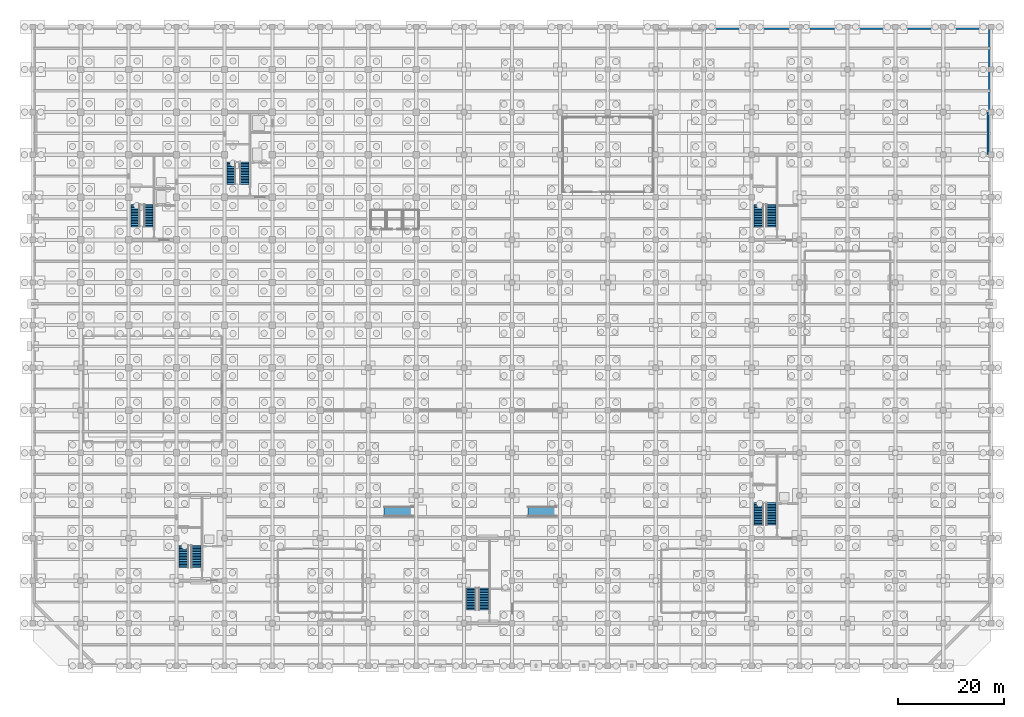
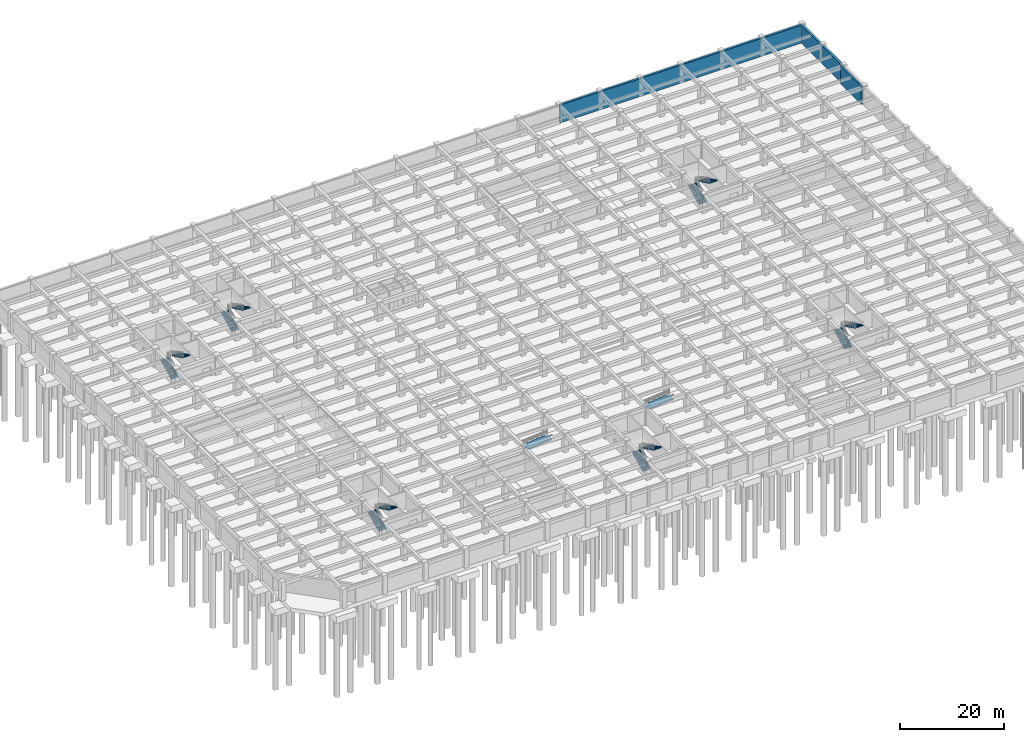
# One storey, part 26 of 31: 12 stair flights, 3 walls, 2 ramp flights, 8 elements without a shape of their own.
"""IFC4 building model written with IfcOpenShell, lengths in metres."""

from ifc_helpers import new_model, si_unit, direction, frame, frame_2d, origin, place, context, subcontext, project, spatial, polyline, rectangle, outline, extrude, material, layer, layer_set, type_object, element, aggregate, save


model = new_model("IFC4")

# Units and contexts
model_context = context("Model", 3, precision=1e-05, world=origin(), true_north=direction((0.0, 1.0)))
body_context = subcontext(model_context, "Body", "Model", "MODEL_VIEW")
ifc_project = project(units=[si_unit("LENGTHUNIT", "METRE"), si_unit("AREAUNIT", "SQUARE_METRE"), si_unit("VOLUMEUNIT", "CUBIC_METRE"), si_unit("PLANEANGLEUNIT", "RADIAN"), si_unit("MASSUNIT", "GRAM", prefix="KILO")], contexts=[model_context])

# Site, building, storey
site_placement = place(None, origin())
site = spatial("IfcSite", under=ifc_project, at=site_placement, CompositionType="ELEMENT")
building_placement = place(site_placement, origin())
building = spatial("IfcBuilding", under=site, at=building_placement, Name="Zaverband Oceanarium and Marine Research Institute", CompositionType="ELEMENT")
storey_placement = place(building_placement, frame((0.0, 0.0, -9.0)))
storey = spatial("IfcBuildingStorey", under=building, at=storey_placement, Name="B2", CompositionType="ELEMENT", Elevation=-9.0)

# Walls
ifc_material_1 = material(Name="Concrete C45/55", Category="concrete")
ifc_layer_1 = layer(ifc_material_1, 0.47998046875, Name="Concrete C45/55")
ifc_layer_set_1 = layer_set([ifc_layer_1], Name="Concrete C45/55")
wall_type_1 = type_object("IfcWallType", Name="RW-01", PredefinedType="SHEAR", material=ifc_layer_set_1)
wall_1_placement = place(storey_placement, frame((179.75, 104.0, 0.0), z_axis=(0.0, 0.0, 1.0), x_axis=(0.0, 1.0, 0.0)))
element("IfcWall", 1, at=wall_1_placement, inside=storey, type_object=wall_type_1, Name="Basement retaining wall RW-01", PredefinedType="SHEAR", context=body_context, shape_type="SweptSolid", body=[
    extrude(rectangle(XDim=15.75, YDim=0.47998046875, at=frame_2d((7.875, 0.0))), origin(), (0.0, 0.0, 1.0), 4.199951171875),
])
wall_2_placement = place(storey_placement, frame((179.75, 119.75, 0.0), z_axis=(0.0, 0.0, 1.0), x_axis=(-1.0, 0.0, 0.0)))
element("IfcWall", 2, at=wall_2_placement, inside=storey, type_object=wall_type_1, Name="Basement retaining wall RW-01", PredefinedType="SHEAR", context=body_context, shape_type="SweptSolid", body=[
    extrude(rectangle(XDim=53.75, YDim=0.47998046875, at=frame_2d((26.875, 0.0))), origin(), (0.0, 0.0, 1.0), 4.199951171875),
])
ifc_material_2 = material(Name="Concrete C50/60", Category="concrete")
ifc_layer_2 = layer(ifc_material_2, 0.3798828125, Name="Concrete C50/60")
ifc_layer_set_2 = layer_set([ifc_layer_2], Name="Concrete C50/60")
wall_type_2 = type_object("IfcWallType", Name="SW-02", PredefinedType="SHEAR", material=ifc_layer_set_2)
wall_3_placement = place(storey_placement, frame((179.39990234375, 96.0, 0.0), z_axis=(0.0, 0.0, 1.0), x_axis=(0.0, 1.0, 0.0)))
element("IfcWall", 3, at=wall_3_placement, inside=storey, type_object=wall_type_2, Name="Structural shear wall SW-02", PredefinedType="SHEAR", context=body_context, shape_type="SweptSolid", body=[
    extrude(rectangle(XDim=8.0, YDim=0.3798828125, at=frame_2d((4.0, 0.0))), origin(), (0.0, 0.0, 1.0), 4.199951171875),
])

# Stair, stair flights
ifc_material_3 = material(Name="Concrete C40/50", Category="concrete")
stair_type_1 = type_object("IfcStairType", Name="STR-POD-1800-4500", PredefinedType="HALF_TURN_STAIR", material=ifc_material_3)
stair_1_placement = place(storey_placement, origin())
stair_1 = element("IfcStair", 4, at=stair_1_placement, inside=storey, type_object=stair_type_1, Name="Exit Stair ST-03 (B2)", PredefinedType="HALF_TURN_STAIR")
stair_flight_type_1 = type_object("IfcStairFlightType", Name="STR-POD-1800-4500-FL", PredefinedType="STRAIGHT", material=ifc_material_3)
stair_flight_1_placement = place(storey_placement, frame((28.330078125, 18.449951171875, 0.0), z_axis=(0.0, 0.0, 1.0), x_axis=(0.0, 1.0, 0.0)))
stair_flight_1 = element("IfcStairFlight", 5, at=stair_flight_1_placement, type_object=stair_flight_type_1, Name="Reinforced concrete stair flight ST-03-F1", NumberOfRisers=15, NumberOfTreads=14, PredefinedType="STRAIGHT", RiserHeight=0.15, TreadLength=0.3, context=body_context, shape_type="SweptSolid", body=[
    extrude(outline(polyline([(0.0, 0.0), (0.0, 0.14990234375), (0.300048828125, 0.14990234375), (0.300048828125, 0.300048828125), (0.60009765625, 0.300048828125), (0.60009765625, 0.449951171875), (0.89990234375, 0.449951171875), (0.89990234375, 0.60009765625), (1.199951171875, 0.60009765625), (1.199951171875, 0.75), (1.5, 0.75), (1.5, 0.89990234375), (1.800048828125, 0.89990234375), (1.800048828125, 1.050048828125), (2.10009765625, 1.050048828125), (2.10009765625, 1.199951171875), (2.39990234375, 1.199951171875), (2.39990234375, 1.35009765625), (2.699951171875, 1.35009765625), (2.699951171875, 1.5), (3.0, 1.5), (3.0, 1.64990234375), (3.300048828125, 1.64990234375), (3.300048828125, 1.800048828125), (3.60009765625, 1.800048828125), (3.60009765625, 1.949951171875), (3.89990234375, 1.949951171875), (3.89990234375, 2.10009765625), (4.199951171875, 2.10009765625), (4.199951171875, 2.25), (4.199951171875, 1.89892578125), (0.40234375, 0.0), (0.0, 0.0)])), frame((0.0, 0.89990234375, 0.0), z_axis=(0.0, -1.0, 0.0), x_axis=(1.0, 0.0, 0.0)), (0.0, 0.0, 1.0), 1.800048828125),
])
stair_flight_2_placement = place(storey_placement, frame((30.669921875, 22.64990234375, 2.25), z_axis=(0.0, 0.0, 1.0), x_axis=(0.0, -1.0, 0.0)))
stair_flight_2 = element("IfcStairFlight", 6, at=stair_flight_2_placement, type_object=stair_flight_type_1, Name="Reinforced concrete stair flight ST-03-F2", NumberOfRisers=15, NumberOfTreads=14, PredefinedType="STRAIGHT", RiserHeight=0.15, TreadLength=0.3, context=body_context, shape_type="SweptSolid", body=[
    extrude(outline(polyline([(0.0, 0.0), (0.0, 0.14990234375), (0.300048828125, 0.14990234375), (0.300048828125, 0.300048828125), (0.60009765625, 0.300048828125), (0.60009765625, 0.449951171875), (0.89990234375, 0.449951171875), (0.89990234375, 0.60009765625), (1.199951171875, 0.60009765625), (1.199951171875, 0.75), (1.5, 0.75), (1.5, 0.89990234375), (1.800048828125, 0.89990234375), (1.800048828125, 1.050048828125), (2.10009765625, 1.050048828125), (2.10009765625, 1.199951171875), (2.39990234375, 1.199951171875), (2.39990234375, 1.35009765625), (2.699951171875, 1.35009765625), (2.699951171875, 1.5), (3.0, 1.5), (3.0, 1.64990234375), (3.300048828125, 1.64990234375), (3.300048828125, 1.800048828125), (3.60009765625, 1.800048828125), (3.60009765625, 1.949951171875), (3.89990234375, 1.949951171875), (3.89990234375, 2.10009765625), (4.199951171875, 2.10009765625), (4.199951171875, 2.25), (4.199951171875, 1.89892578125), (0.40234375, 0.0), (0.0, 0.0)])), frame((0.0, 0.89990234375, 0.0), z_axis=(0.0, -1.0, 0.0), x_axis=(1.0, 0.0, 0.0)), (0.0, 0.0, 1.0), 1.800048828125),
])
aggregate(stair_1, [stair_flight_1, stair_flight_2])

stair_2_placement = place(storey_placement, origin())
stair_2 = element("IfcStair", 7, at=stair_2_placement, inside=storey, type_object=stair_type_1, Name="Exit Stair ST-04 (B2)", PredefinedType="HALF_TURN_STAIR")
stair_flight_3_placement = place(storey_placement, frame((136.330078125, 26.449951171875, 0.0), z_axis=(0.0, 0.0, 1.0), x_axis=(0.0, 1.0, 0.0)))
stair_flight_3 = element("IfcStairFlight", 8, at=stair_flight_3_placement, type_object=stair_flight_type_1, Name="Reinforced concrete stair flight ST-04-F1", NumberOfRisers=15, NumberOfTreads=14, PredefinedType="STRAIGHT", RiserHeight=0.15, TreadLength=0.3, context=body_context, shape_type="SweptSolid", body=[
    extrude(outline(polyline([(0.0, 0.0), (0.0, 0.14990234375), (0.300048828125, 0.14990234375), (0.300048828125, 0.300048828125), (0.60009765625, 0.300048828125), (0.60009765625, 0.449951171875), (0.89990234375, 0.449951171875), (0.89990234375, 0.60009765625), (1.199951171875, 0.60009765625), (1.199951171875, 0.75), (1.5, 0.75), (1.5, 0.89990234375), (1.800048828125, 0.89990234375), (1.800048828125, 1.050048828125), (2.10009765625, 1.050048828125), (2.10009765625, 1.199951171875), (2.39990234375, 1.199951171875), (2.39990234375, 1.35009765625), (2.699951171875, 1.35009765625), (2.699951171875, 1.5), (3.0, 1.5), (3.0, 1.64990234375), (3.300048828125, 1.64990234375), (3.300048828125, 1.800048828125), (3.60009765625, 1.800048828125), (3.60009765625, 1.949951171875), (3.89990234375, 1.949951171875), (3.89990234375, 2.10009765625), (4.199951171875, 2.10009765625), (4.199951171875, 2.25), (4.199951171875, 1.89892578125), (0.40234375, 0.0), (0.0, 0.0)])), frame((0.0, 0.89990234375, 0.0), z_axis=(0.0, -1.0, 0.0), x_axis=(1.0, 0.0, 0.0)), (0.0, 0.0, 1.0), 1.800048828125),
])
stair_flight_4_placement = place(storey_placement, frame((138.669921875, 30.64990234375, 2.25), z_axis=(0.0, 0.0, 1.0), x_axis=(0.0, -1.0, 0.0)))
stair_flight_4 = element("IfcStairFlight", 9, at=stair_flight_4_placement, type_object=stair_flight_type_1, Name="Reinforced concrete stair flight ST-04-F2", NumberOfRisers=15, NumberOfTreads=14, PredefinedType="STRAIGHT", RiserHeight=0.15, TreadLength=0.3, context=body_context, shape_type="SweptSolid", body=[
    extrude(outline(polyline([(0.0, 0.0), (0.0, 0.14990234375), (0.300048828125, 0.14990234375), (0.300048828125, 0.300048828125), (0.60009765625, 0.300048828125), (0.60009765625, 0.449951171875), (0.89990234375, 0.449951171875), (0.89990234375, 0.60009765625), (1.199951171875, 0.60009765625), (1.199951171875, 0.75), (1.5, 0.75), (1.5, 0.89990234375), (1.800048828125, 0.89990234375), (1.800048828125, 1.050048828125), (2.10009765625, 1.050048828125), (2.10009765625, 1.199951171875), (2.39990234375, 1.199951171875), (2.39990234375, 1.35009765625), (2.699951171875, 1.35009765625), (2.699951171875, 1.5), (3.0, 1.5), (3.0, 1.64990234375), (3.300048828125, 1.64990234375), (3.300048828125, 1.800048828125), (3.60009765625, 1.800048828125), (3.60009765625, 1.949951171875), (3.89990234375, 1.949951171875), (3.89990234375, 2.10009765625), (4.199951171875, 2.10009765625), (4.199951171875, 2.25), (4.199951171875, 1.89892578125), (0.40234375, 0.0), (0.0, 0.0)])), frame((0.0, 0.89990234375, 0.0), z_axis=(0.0, -1.0, 0.0), x_axis=(1.0, 0.0, 0.0)), (0.0, 0.0, 1.0), 1.800048828125),
])
aggregate(stair_2, [stair_flight_3, stair_flight_4])

stair_3_placement = place(storey_placement, origin())
stair_3 = element("IfcStair", 10, at=stair_3_placement, inside=storey, type_object=stair_type_1, Name="Exit Stair ST-05 (B2)", PredefinedType="HALF_TURN_STAIR")
stair_flight_5_placement = place(storey_placement, frame((136.330078125, 82.449951171875, 0.0), z_axis=(0.0, 0.0, 1.0), x_axis=(0.0, 1.0, 0.0)))
stair_flight_5 = element("IfcStairFlight", 11, at=stair_flight_5_placement, type_object=stair_flight_type_1, Name="Reinforced concrete stair flight ST-05-F1", NumberOfRisers=15, NumberOfTreads=14, PredefinedType="STRAIGHT", RiserHeight=0.15, TreadLength=0.3, context=body_context, shape_type="SweptSolid", body=[
    extrude(outline(polyline([(0.0, 0.0), (0.0, 0.14990234375), (0.300048828125, 0.14990234375), (0.300048828125, 0.300048828125), (0.60009765625, 0.300048828125), (0.60009765625, 0.449951171875), (0.89990234375, 0.449951171875), (0.89990234375, 0.60009765625), (1.199951171875, 0.60009765625), (1.199951171875, 0.75), (1.5, 0.75), (1.5, 0.89990234375), (1.800048828125, 0.89990234375), (1.800048828125, 1.050048828125), (2.10009765625, 1.050048828125), (2.10009765625, 1.199951171875), (2.39990234375, 1.199951171875), (2.39990234375, 1.35009765625), (2.699951171875, 1.35009765625), (2.699951171875, 1.5), (3.0, 1.5), (3.0, 1.64990234375), (3.300048828125, 1.64990234375), (3.300048828125, 1.800048828125), (3.60009765625, 1.800048828125), (3.60009765625, 1.949951171875), (3.89990234375, 1.949951171875), (3.89990234375, 2.10009765625), (4.199951171875, 2.10009765625), (4.199951171875, 2.25), (4.199951171875, 1.89892578125), (0.40234375, 0.0), (0.0, 0.0)])), frame((0.0, 0.89990234375, 0.0), z_axis=(0.0, -1.0, 0.0), x_axis=(1.0, 0.0, 0.0)), (0.0, 0.0, 1.0), 1.800048828125),
])
stair_flight_6_placement = place(storey_placement, frame((138.669921875, 86.64990234375, 2.25), z_axis=(0.0, 0.0, 1.0), x_axis=(0.0, -1.0, 0.0)))
stair_flight_6 = element("IfcStairFlight", 12, at=stair_flight_6_placement, type_object=stair_flight_type_1, Name="Reinforced concrete stair flight ST-05-F2", NumberOfRisers=15, NumberOfTreads=14, PredefinedType="STRAIGHT", RiserHeight=0.15, TreadLength=0.3, context=body_context, shape_type="SweptSolid", body=[
    extrude(outline(polyline([(0.0, 0.0), (0.0, 0.14990234375), (0.300048828125, 0.14990234375), (0.300048828125, 0.300048828125), (0.60009765625, 0.300048828125), (0.60009765625, 0.449951171875), (0.89990234375, 0.449951171875), (0.89990234375, 0.60009765625), (1.199951171875, 0.60009765625), (1.199951171875, 0.75), (1.5, 0.75), (1.5, 0.89990234375), (1.800048828125, 0.89990234375), (1.800048828125, 1.050048828125), (2.10009765625, 1.050048828125), (2.10009765625, 1.199951171875), (2.39990234375, 1.199951171875), (2.39990234375, 1.35009765625), (2.699951171875, 1.35009765625), (2.699951171875, 1.5), (3.0, 1.5), (3.0, 1.64990234375), (3.300048828125, 1.64990234375), (3.300048828125, 1.800048828125), (3.60009765625, 1.800048828125), (3.60009765625, 1.949951171875), (3.89990234375, 1.949951171875), (3.89990234375, 2.10009765625), (4.199951171875, 2.10009765625), (4.199951171875, 2.25), (4.199951171875, 1.89892578125), (0.40234375, 0.0), (0.0, 0.0)])), frame((0.0, 0.89990234375, 0.0), z_axis=(0.0, -1.0, 0.0), x_axis=(1.0, 0.0, 0.0)), (0.0, 0.0, 1.0), 1.800048828125),
])
aggregate(stair_3, [stair_flight_5, stair_flight_6])

stair_4_placement = place(storey_placement, origin())
stair_4 = element("IfcStair", 13, at=stair_4_placement, inside=storey, type_object=stair_type_1, Name="Exit Stair ST-06 (B2)", PredefinedType="HALF_TURN_STAIR")
stair_flight_7_placement = place(storey_placement, frame((82.330078125, 10.449951171875, 0.0), z_axis=(0.0, 0.0, 1.0), x_axis=(0.0, 1.0, 0.0)))
stair_flight_7 = element("IfcStairFlight", 14, at=stair_flight_7_placement, type_object=stair_flight_type_1, Name="Reinforced concrete stair flight ST-06-F1", NumberOfRisers=15, NumberOfTreads=14, PredefinedType="STRAIGHT", RiserHeight=0.15, TreadLength=0.3, context=body_context, shape_type="SweptSolid", body=[
    extrude(outline(polyline([(0.0, 0.0), (0.0, 0.14990234375), (0.300048828125, 0.14990234375), (0.300048828125, 0.300048828125), (0.60009765625, 0.300048828125), (0.60009765625, 0.449951171875), (0.89990234375, 0.449951171875), (0.89990234375, 0.60009765625), (1.199951171875, 0.60009765625), (1.199951171875, 0.75), (1.5, 0.75), (1.5, 0.89990234375), (1.800048828125, 0.89990234375), (1.800048828125, 1.050048828125), (2.10009765625, 1.050048828125), (2.10009765625, 1.199951171875), (2.39990234375, 1.199951171875), (2.39990234375, 1.35009765625), (2.699951171875, 1.35009765625), (2.699951171875, 1.5), (3.0, 1.5), (3.0, 1.64990234375), (3.300048828125, 1.64990234375), (3.300048828125, 1.800048828125), (3.60009765625, 1.800048828125), (3.60009765625, 1.949951171875), (3.89990234375, 1.949951171875), (3.89990234375, 2.10009765625), (4.199951171875, 2.10009765625), (4.199951171875, 2.25), (4.199951171875, 1.89892578125), (0.40234375, 0.0), (0.0, 0.0)])), frame((0.0, 0.89990234375, 0.0), z_axis=(0.0, -1.0, 0.0), x_axis=(1.0, 0.0, 0.0)), (0.0, 0.0, 1.0), 1.800048828125),
])
stair_flight_8_placement = place(storey_placement, frame((84.669921875, 14.64990234375, 2.25), z_axis=(0.0, 0.0, 1.0), x_axis=(0.0, -1.0, 0.0)))
stair_flight_8 = element("IfcStairFlight", 15, at=stair_flight_8_placement, type_object=stair_flight_type_1, Name="Reinforced concrete stair flight ST-06-F2", NumberOfRisers=15, NumberOfTreads=14, PredefinedType="STRAIGHT", RiserHeight=0.15, TreadLength=0.3, context=body_context, shape_type="SweptSolid", body=[
    extrude(outline(polyline([(0.0, 0.0), (0.0, 0.14990234375), (0.300048828125, 0.14990234375), (0.300048828125, 0.300048828125), (0.60009765625, 0.300048828125), (0.60009765625, 0.449951171875), (0.89990234375, 0.449951171875), (0.89990234375, 0.60009765625), (1.199951171875, 0.60009765625), (1.199951171875, 0.75), (1.5, 0.75), (1.5, 0.89990234375), (1.800048828125, 0.89990234375), (1.800048828125, 1.050048828125), (2.10009765625, 1.050048828125), (2.10009765625, 1.199951171875), (2.39990234375, 1.199951171875), (2.39990234375, 1.35009765625), (2.699951171875, 1.35009765625), (2.699951171875, 1.5), (3.0, 1.5), (3.0, 1.64990234375), (3.300048828125, 1.64990234375), (3.300048828125, 1.800048828125), (3.60009765625, 1.800048828125), (3.60009765625, 1.949951171875), (3.89990234375, 1.949951171875), (3.89990234375, 2.10009765625), (4.199951171875, 2.10009765625), (4.199951171875, 2.25), (4.199951171875, 1.89892578125), (0.40234375, 0.0), (0.0, 0.0)])), frame((0.0, 0.89990234375, 0.0), z_axis=(0.0, -1.0, 0.0), x_axis=(1.0, 0.0, 0.0)), (0.0, 0.0, 1.0), 1.800048828125),
])
aggregate(stair_4, [stair_flight_7, stair_flight_8])

stair_type_2 = type_object("IfcStairType", Name="STR-TWR-1650-4500", PredefinedType="HALF_TURN_STAIR", material=ifc_material_3)
stair_5_placement = place(storey_placement, origin())
stair_5 = element("IfcStair", 16, at=stair_5_placement, inside=storey, type_object=stair_type_2, Name="Exit Stair ST-01 (B2)", PredefinedType="HALF_TURN_STAIR")
stair_flight_type_2 = type_object("IfcStairFlightType", Name="STR-TWR-1650-4500-FL", PredefinedType="STRAIGHT", material=ifc_material_3)
stair_flight_9_placement = place(storey_placement, frame((19.2548828125, 82.449951171875, 0.0), z_axis=(0.0, 0.0, 1.0), x_axis=(0.0, 1.0, 0.0)))
stair_flight_9 = element("IfcStairFlight", 17, at=stair_flight_9_placement, type_object=stair_flight_type_2, Name="Reinforced concrete stair flight ST-01-F1", NumberOfRisers=15, NumberOfTreads=14, PredefinedType="STRAIGHT", RiserHeight=0.15, TreadLength=0.3, context=body_context, shape_type="SweptSolid", body=[
    extrude(outline(polyline([(0.0, 0.0), (0.0, 0.14990234375), (0.300048828125, 0.14990234375), (0.300048828125, 0.300048828125), (0.60009765625, 0.300048828125), (0.60009765625, 0.449951171875), (0.89990234375, 0.449951171875), (0.89990234375, 0.60009765625), (1.199951171875, 0.60009765625), (1.199951171875, 0.75), (1.5, 0.75), (1.5, 0.89990234375), (1.800048828125, 0.89990234375), (1.800048828125, 1.050048828125), (2.10009765625, 1.050048828125), (2.10009765625, 1.199951171875), (2.39990234375, 1.199951171875), (2.39990234375, 1.35009765625), (2.699951171875, 1.35009765625), (2.699951171875, 1.5), (3.0, 1.5), (3.0, 1.64990234375), (3.300048828125, 1.64990234375), (3.300048828125, 1.800048828125), (3.60009765625, 1.800048828125), (3.60009765625, 1.949951171875), (3.89990234375, 1.949951171875), (3.89990234375, 2.10009765625), (4.199951171875, 2.10009765625), (4.199951171875, 2.25), (4.199951171875, 1.89892578125), (0.40234375, 0.0), (0.0, 0.0)])), frame((0.0, 0.824951171875, 0.0), z_axis=(0.0, -1.0, 0.0), x_axis=(1.0, 0.0, 0.0)), (0.0, 0.0, 1.0), 1.64990234375),
])
stair_flight_10_placement = place(storey_placement, frame((21.7451171875, 86.64990234375, 2.25), z_axis=(0.0, 0.0, 1.0), x_axis=(0.0, -1.0, 0.0)))
stair_flight_10 = element("IfcStairFlight", 18, at=stair_flight_10_placement, type_object=stair_flight_type_2, Name="Reinforced concrete stair flight ST-01-F2", NumberOfRisers=15, NumberOfTreads=14, PredefinedType="STRAIGHT", RiserHeight=0.15, TreadLength=0.3, context=body_context, shape_type="SweptSolid", body=[
    extrude(outline(polyline([(0.0, 0.0), (0.0, 0.14990234375), (0.300048828125, 0.14990234375), (0.300048828125, 0.300048828125), (0.60009765625, 0.300048828125), (0.60009765625, 0.449951171875), (0.89990234375, 0.449951171875), (0.89990234375, 0.60009765625), (1.199951171875, 0.60009765625), (1.199951171875, 0.75), (1.5, 0.75), (1.5, 0.89990234375), (1.800048828125, 0.89990234375), (1.800048828125, 1.050048828125), (2.10009765625, 1.050048828125), (2.10009765625, 1.199951171875), (2.39990234375, 1.199951171875), (2.39990234375, 1.35009765625), (2.699951171875, 1.35009765625), (2.699951171875, 1.5), (3.0, 1.5), (3.0, 1.64990234375), (3.300048828125, 1.64990234375), (3.300048828125, 1.800048828125), (3.60009765625, 1.800048828125), (3.60009765625, 1.949951171875), (3.89990234375, 1.949951171875), (3.89990234375, 2.10009765625), (4.199951171875, 2.10009765625), (4.199951171875, 2.25), (4.199951171875, 1.89892578125), (0.40234375, 0.0), (0.0, 0.0)])), frame((0.0, 0.824951171875, 0.0), z_axis=(0.0, -1.0, 0.0), x_axis=(1.0, 0.0, 0.0)), (0.0, 0.0, 1.0), 1.64990234375),
])
aggregate(stair_5, [stair_flight_9, stair_flight_10])

stair_6_placement = place(storey_placement, origin())
stair_6 = element("IfcStair", 19, at=stair_6_placement, inside=storey, type_object=stair_type_2, Name="Exit Stair ST-02 (B2)", PredefinedType="HALF_TURN_STAIR")
stair_flight_11_placement = place(storey_placement, frame((37.2548828125, 90.449951171875, 0.0), z_axis=(0.0, 0.0, 1.0), x_axis=(0.0, 1.0, 0.0)))
stair_flight_11 = element("IfcStairFlight", 20, at=stair_flight_11_placement, type_object=stair_flight_type_2, Name="Reinforced concrete stair flight ST-02-F1", NumberOfRisers=15, NumberOfTreads=14, PredefinedType="STRAIGHT", RiserHeight=0.15, TreadLength=0.3, context=body_context, shape_type="SweptSolid", body=[
    extrude(outline(polyline([(0.0, 0.0), (0.0, 0.14990234375), (0.300048828125, 0.14990234375), (0.300048828125, 0.300048828125), (0.60009765625, 0.300048828125), (0.60009765625, 0.449951171875), (0.89990234375, 0.449951171875), (0.89990234375, 0.60009765625), (1.199951171875, 0.60009765625), (1.199951171875, 0.75), (1.5, 0.75), (1.5, 0.89990234375), (1.800048828125, 0.89990234375), (1.800048828125, 1.050048828125), (2.10009765625, 1.050048828125), (2.10009765625, 1.199951171875), (2.39990234375, 1.199951171875), (2.39990234375, 1.35009765625), (2.699951171875, 1.35009765625), (2.699951171875, 1.5), (3.0, 1.5), (3.0, 1.64990234375), (3.300048828125, 1.64990234375), (3.300048828125, 1.800048828125), (3.60009765625, 1.800048828125), (3.60009765625, 1.949951171875), (3.89990234375, 1.949951171875), (3.89990234375, 2.10009765625), (4.199951171875, 2.10009765625), (4.199951171875, 2.25), (4.199951171875, 1.89892578125), (0.40234375, 0.0), (0.0, 0.0)])), frame((0.0, 0.824951171875, 0.0), z_axis=(0.0, -1.0, 0.0), x_axis=(1.0, 0.0, 0.0)), (0.0, 0.0, 1.0), 1.64990234375),
])
stair_flight_12_placement = place(storey_placement, frame((39.7451171875, 94.64990234375, 2.25), z_axis=(0.0, 0.0, 1.0), x_axis=(0.0, -1.0, 0.0)))
stair_flight_12 = element("IfcStairFlight", 21, at=stair_flight_12_placement, type_object=stair_flight_type_2, Name="Reinforced concrete stair flight ST-02-F2", NumberOfRisers=15, NumberOfTreads=14, PredefinedType="STRAIGHT", RiserHeight=0.15, TreadLength=0.3, context=body_context, shape_type="SweptSolid", body=[
    extrude(outline(polyline([(0.0, 0.0), (0.0, 0.14990234375), (0.300048828125, 0.14990234375), (0.300048828125, 0.300048828125), (0.60009765625, 0.300048828125), (0.60009765625, 0.449951171875), (0.89990234375, 0.449951171875), (0.89990234375, 0.60009765625), (1.199951171875, 0.60009765625), (1.199951171875, 0.75), (1.5, 0.75), (1.5, 0.89990234375), (1.800048828125, 0.89990234375), (1.800048828125, 1.050048828125), (2.10009765625, 1.050048828125), (2.10009765625, 1.199951171875), (2.39990234375, 1.199951171875), (2.39990234375, 1.35009765625), (2.699951171875, 1.35009765625), (2.699951171875, 1.5), (3.0, 1.5), (3.0, 1.64990234375), (3.300048828125, 1.64990234375), (3.300048828125, 1.800048828125), (3.60009765625, 1.800048828125), (3.60009765625, 1.949951171875), (3.89990234375, 1.949951171875), (3.89990234375, 2.10009765625), (4.199951171875, 2.10009765625), (4.199951171875, 2.25), (4.199951171875, 1.89892578125), (0.40234375, 0.0), (0.0, 0.0)])), frame((0.0, 0.824951171875, 0.0), z_axis=(0.0, -1.0, 0.0), x_axis=(1.0, 0.0, 0.0)), (0.0, 0.0, 1.0), 1.64990234375),
])
aggregate(stair_6, [stair_flight_11, stair_flight_12])

# Ramp, ramp flight
ifc_layer_3 = layer(ifc_material_3, 0.219970703125, Name="Concrete C40/50")
ifc_layer_set_3 = layer_set([ifc_layer_3], Name="Concrete C40/50")
ramp_type = type_object("IfcRampType", Name="RMP-PED-1800", PredefinedType="STRAIGHT_RUN_RAMP", material=ifc_layer_set_3)
ramp_1_placement = place(storey_placement, origin())
ramp_1 = element("IfcRamp", 22, at=ramp_1_placement, inside=storey, type_object=ramp_type, Name="Accessible Viewing Gallery Ramp PR-01", PredefinedType="STRAIGHT_RUN_RAMP")
ifc_layer_4 = layer(ifc_material_3, 0.219970703125, Name="Concrete C40/50")
ifc_layer_set_4 = layer_set([ifc_layer_4], Name="Concrete C40/50")
ramp_flight_type = type_object("IfcRampFlightType", Name="RMP-PED-1800-FL", PredefinedType="STRAIGHT", material=ifc_layer_set_4)
ramp_flight_1_placement = place(storey_placement, frame((66.0, 28.10009765625, 0.0), z_axis=(-0.083038022323, 0.0, 0.996546379678), x_axis=(0.0, 1.0, 0.0)))
ramp_flight_1 = element("IfcRampFlight", 23, at=ramp_flight_1_placement, type_object=ramp_flight_type, Name="Step-free accessible pedestrian ramp flight PR-01-F1", PredefinedType="STRAIGHT", context=body_context, shape_type="SweptSolid", body=[
    extrude(outline(polyline([(0.0, 0.0), (1.7998046875, 0.0), (1.7998046875, -5.418616186731482), (0.0, -5.418616186731482), (0.0, 0.0)])), origin(), (0.0, 0.0, -1.0), 0.219970703125),
])
aggregate(ramp_1, [ramp_flight_1])

ramp_2_placement = place(storey_placement, origin())
ramp_2 = element("IfcRamp", 24, at=ramp_2_placement, inside=storey, type_object=ramp_type, Name="Accessible Viewing Gallery Ramp PR-02", PredefinedType="STRAIGHT_RUN_RAMP")
ramp_flight_2_placement = place(storey_placement, frame((93.0, 28.10009765625, 0.0), z_axis=(-0.083038022323, 0.0, 0.996546379678), x_axis=(0.0, 1.0, 0.0)))
ramp_flight_2 = element("IfcRampFlight", 25, at=ramp_flight_2_placement, type_object=ramp_flight_type, Name="Step-free accessible pedestrian ramp flight PR-02-F1", PredefinedType="STRAIGHT", context=body_context, shape_type="SweptSolid", body=[
    extrude(outline(polyline([(0.0, 0.0), (1.7998046875, 0.0), (1.7998046875, -5.418616186731482), (0.0, -5.418616186731482), (0.0, 0.0)])), origin(), (0.0, 0.0, -1.0), 0.219970703125),
])
aggregate(ramp_2, [ramp_flight_2])

save(model, "model.ifc")
